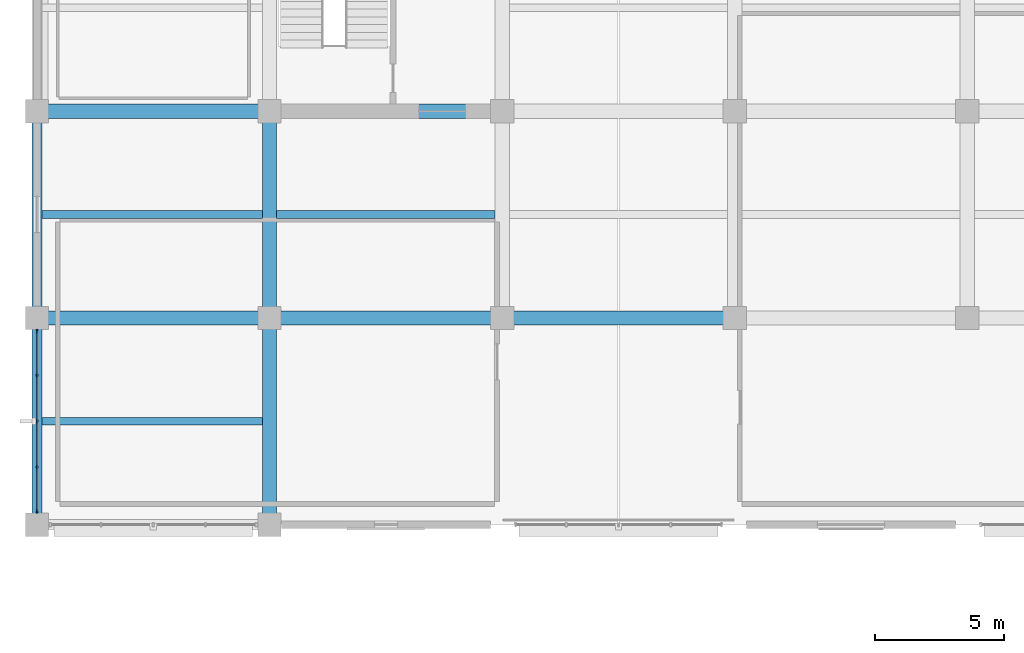
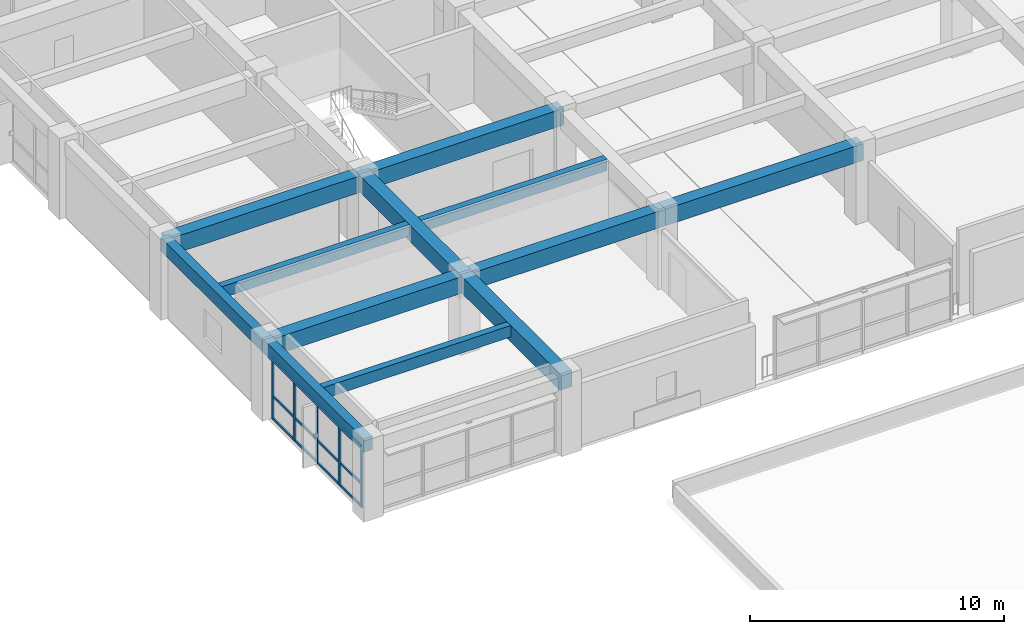
# One storey, part 4 of 23: 12 beams, 8 members, 1 element without a shape of its own.
"""IFC4 building model written with IfcOpenShell, lengths in metres."""

from ifc_helpers import new_model, si_unit, direction, frame, origin, origin_2d, place, context, subcontext, project, spatial, rectangle, extrude, material, material_profile, profile_set, type_object, element, aggregate, save


model = new_model("IFC4")

# Units and contexts
model_context = context("Model", 3, precision=1e-05, world=origin(), true_north=direction((0.0, 1.0)))
body_context = subcontext(model_context, "Body", "Model", "MODEL_VIEW")
ifc_project = project(units=[si_unit("LENGTHUNIT", "METRE"), si_unit("AREAUNIT", "SQUARE_METRE"), si_unit("VOLUMEUNIT", "CUBIC_METRE"), si_unit("PLANEANGLEUNIT", "RADIAN"), si_unit("MASSUNIT", "GRAM", prefix="KILO")], contexts=[model_context])

# Site, building, storey
site_placement = place(None, origin())
site = spatial("IfcSite", under=ifc_project, at=site_placement, CompositionType="ELEMENT")
building_placement = place(site_placement, origin())
building = spatial("IfcBuilding", under=site, at=building_placement, Name="Zaverband Oceanarium and Marine Research Institute", CompositionType="ELEMENT")
storey_placement = place(building_placement, frame((0.0, 0.0, 21.89990234375)))
storey = spatial("IfcBuildingStorey", under=building, at=storey_placement, Name="L05", CompositionType="ELEMENT", Elevation=21.89990234375)

# Beams
ifc_material_1 = material(Name="Concrete C40/50", Category="concrete")
ifc_material_profile_1 = material_profile(ifc_material_1, rectangle(XDim=0.550048828125, YDim=0.800048828125, at=origin_2d()), Name="RC550x800")
ifc_profile_set_1 = profile_set([ifc_material_profile_1], Name="Concrete C40/50")
beam_type_1 = type_object("IfcBeamType", Name="BM-550x800", PredefinedType="BEAM", material=ifc_profile_set_1)
for number, where, z_axis, x_axis, name in (
    (1, (9.0, 72.0, 3.25), (1.0, 0.0, 0.0), (0.0, 1.0, 0.0), "Primary floor girder BM-550x800"),
    (2, (18.0, 72.0, 3.25), (1.0, 0.0, 0.0), (0.0, 1.0, 0.0), "Primary floor girder BM-550x800"),
    (3, (27.0, 72.0, 3.25), (1.0, 0.0, 0.0), (0.0, 1.0, 0.0), "Primary floor girder BM-550x800"),
    (4, (9.0, 80.0, 3.25), (1.0, 0.0, 0.0), (0.0, 1.0, 0.0), "Primary floor girder BM-550x800"),
    (5, (18.0, 80.0, 3.25), (1.0, 0.0, 0.0), (0.0, 1.0, 0.0), "Primary floor girder BM-550x800"),
):
    element("IfcBeam", number, at=place(storey_placement, frame(where, z_axis=z_axis, x_axis=x_axis)), inside=storey, type_object=beam_type_1, Name=name, PredefinedType="BEAM", context=body_context, shape_type="SweptSolid", body=[
        extrude(rectangle(XDim=0.550048828125, YDim=0.800048828125, at=origin_2d()), origin(), (0.0, 0.0, 1.0), 9.0),
    ])
for number, where, z_axis, x_axis, name in (
    (6, (18.0, 64.0, 3.25), (0.0, 1.0, 0.0), (-1.0, 0.0, 0.0), "Primary floor girder BM-550x800"),
    (7, (18.0, 72.0, 3.25), (0.0, 1.0, 0.0), (-1.0, 0.0, 0.0), "Primary floor girder BM-550x800"),
):
    element("IfcBeam", number, at=place(storey_placement, frame(where, z_axis=z_axis, x_axis=x_axis)), inside=storey, type_object=beam_type_1, Name=name, PredefinedType="BEAM", context=body_context, shape_type="SweptSolid", body=[
        extrude(rectangle(XDim=0.550048828125, YDim=0.800048828125, at=origin_2d()), origin(), (0.0, 0.0, 1.0), 8.0),
    ])
ifc_material_profile_2 = material_profile(ifc_material_1, rectangle(XDim=0.300048828125, YDim=0.550048828125, at=origin_2d()), Name="RC300x550")
ifc_profile_set_2 = profile_set([ifc_material_profile_2], Name="Concrete C40/50")
beam_type_2 = type_object("IfcBeamType", Name="JST-300x550", PredefinedType="JOIST", material=ifc_profile_set_2)
for number, where, z_axis, x_axis, name in (
    (8, (9.199951171875, 68.0, 3.375), (1.0, 0.0, 0.0), (0.0, 1.0, 0.0), "Secondary floor joist JST-300x550"),
    (9, (9.199951171875, 76.0, 3.375), (1.0, 0.0, 0.0), (0.0, 1.0, 0.0), "Secondary floor joist JST-300x550"),
):
    element("IfcBeam", number, at=place(storey_placement, frame(where, z_axis=z_axis, x_axis=x_axis)), inside=storey, type_object=beam_type_2, Name=name, PredefinedType="JOIST", context=body_context, shape_type="SweptSolid", body=[
        extrude(rectangle(XDim=0.300048828125, YDim=0.550048828125, at=origin_2d()), origin(), (0.0, 0.0, 1.0), 8.525146484375),
    ])
beam_placement = place(storey_placement, frame((18.27490234375, 76.0, 3.375), z_axis=(1.0, 0.0, 0.0), x_axis=(0.0, 1.0, 0.0)))
element("IfcBeam", 10, at=beam_placement, inside=storey, type_object=beam_type_2, Name="Secondary floor joist JST-300x550", PredefinedType="JOIST", context=body_context, shape_type="SweptSolid", body=[
    extrude(rectangle(XDim=0.300048828125, YDim=0.550048828125, at=origin_2d()), origin(), (0.0, 0.0, 1.0), 8.4501953125),
])

# Curtain wall, members
ifc_material_2 = material(Name="Thermally broken anodized aluminium and solar-control glass", Category="aluminium")
curtain_wall_type = type_object("IfcCurtainWallType", Name="CW-UNIT-1800", PredefinedType="NOTDEFINED", material=ifc_material_2)
curtain_wall_placement = place(storey_placement, origin())
curtain_wall = element("IfcCurtainWall", 11, at=curtain_wall_placement, inside=storey, type_object=curtain_wall_type, Name="Unitised glazed curtain wall CW-073", PredefinedType="NOTDEFINED")
ifc_material_3 = material(Name="Thermally broken anodized aluminium", Category="aluminium")
ifc_material_profile_3 = material_profile(ifc_material_3, rectangle(XDim=0.070068359375, YDim=0.14990234375, at=origin_2d()), Name="AL-MUL-70x150")
ifc_profile_set_3 = profile_set([ifc_material_profile_3], Name="Thermally broken anodized aluminium")
member_type_1 = type_object("IfcMemberType", Name="MUL-70x150", PredefinedType="MULLION", material=ifc_profile_set_3)
member_1_placement = place(storey_placement, frame((9.0, 64.514892578125, 0.0), z_axis=(0.0, 0.0, 1.0), x_axis=(1.0, 0.0, 0.0)))
member_1 = element("IfcMember", 12, at=member_1_placement, type_object=member_type_1, Name="Curtain wall vertical mullion MUL-70x150", PredefinedType="MULLION", context=body_context, shape_type="SweptSolid", body=[
    extrude(rectangle(XDim=0.070068359375, YDim=0.14990234375, at=origin_2d()), origin(), (0.0, 0.0, 1.0), 2.97998046875),
])
member_2_placement = place(storey_placement, frame((9.0, 66.2275390625, 0.0), z_axis=(0.0, 0.0, 1.0), x_axis=(1.0, 0.0, 0.0)))
member_2 = element("IfcMember", 13, at=member_2_placement, type_object=member_type_1, Name="Curtain wall vertical mullion MUL-70x150", PredefinedType="MULLION", context=body_context, shape_type="SweptSolid", body=[
    extrude(rectangle(XDim=0.070068359375, YDim=0.14990234375, at=origin_2d()), origin(), (0.0, 0.0, 1.0), 2.97998046875),
])
member_3_placement = place(storey_placement, frame((9.0, 68.0, 0.0), z_axis=(0.0, 0.0, 1.0), x_axis=(1.0, 0.0, 0.0)))
member_3 = element("IfcMember", 14, at=member_3_placement, type_object=member_type_1, Name="Curtain wall vertical mullion MUL-70x150", PredefinedType="MULLION", context=body_context, shape_type="SweptSolid", body=[
    extrude(rectangle(XDim=0.070068359375, YDim=0.14990234375, at=origin_2d()), origin(), (0.0, 0.0, 1.0), 2.97998046875),
])
member_4_placement = place(storey_placement, frame((9.0, 69.7724609375, 0.0), z_axis=(0.0, 0.0, 1.0), x_axis=(1.0, 0.0, 0.0)))
member_4 = element("IfcMember", 15, at=member_4_placement, type_object=member_type_1, Name="Curtain wall vertical mullion MUL-70x150", PredefinedType="MULLION", context=body_context, shape_type="SweptSolid", body=[
    extrude(rectangle(XDim=0.070068359375, YDim=0.14990234375, at=origin_2d()), origin(), (0.0, 0.0, 1.0), 2.97998046875),
])
member_5_placement = place(storey_placement, frame((9.0, 71.485107421875, 0.0), z_axis=(0.0, 0.0, 1.0), x_axis=(1.0, 0.0, 0.0)))
member_5 = element("IfcMember", 16, at=member_5_placement, type_object=member_type_1, Name="Curtain wall vertical mullion MUL-70x150", PredefinedType="MULLION", context=body_context, shape_type="SweptSolid", body=[
    extrude(rectangle(XDim=0.070068359375, YDim=0.14990234375, at=origin_2d()), origin(), (0.0, 0.0, 1.0), 2.97998046875),
])

# Beams
ifc_material_profile_4 = material_profile(ifc_material_1, rectangle(XDim=0.39990234375, YDim=0.64990234375, at=origin_2d()), Name="RC400x650")
ifc_profile_set_4 = profile_set([ifc_material_profile_4], Name="Concrete C40/50")
beam_type_3 = type_object("IfcBeamType", Name="SPN-400x650", PredefinedType="SPANDREL", material=ifc_profile_set_4)
for number, where, z_axis, x_axis, name in (
    (17, (9.0, 64.0, 3.3251953125), (0.0, 1.0, 0.0), (-1.0, 0.0, 0.0), "Perimeter spandrel beam SPN-400x650"),
    (18, (9.0, 72.0, 3.3251953125), (0.0, 1.0, 0.0), (-1.0, 0.0, 0.0), "Perimeter spandrel beam SPN-400x650"),
):
    element("IfcBeam", number, at=place(storey_placement, frame(where, z_axis=z_axis, x_axis=x_axis)), inside=storey, type_object=beam_type_3, Name=name, PredefinedType="SPANDREL", context=body_context, shape_type="SweptSolid", body=[
        extrude(rectangle(XDim=0.39990234375, YDim=0.64990234375, at=origin_2d()), origin(), (0.0, 0.0, 1.0), 8.0),
    ])

# Member
ifc_material_profile_5 = material_profile(ifc_material_3, rectangle(XDim=0.070068359375, YDim=0.114990234375, at=origin_2d()), Name="AL-TRN-70x115")
ifc_profile_set_5 = profile_set([ifc_material_profile_5], Name="Thermally broken anodized aluminium")
member_type_2 = type_object("IfcMemberType", Name="TRN-70x115", PredefinedType="USERDEFINED", material=ifc_profile_set_5)
member_6_placement = place(storey_placement, frame((9.0, 64.514892578125, 0.050048828125), z_axis=(0.0, 1.0, 0.0), x_axis=(-1.0, 0.0, 0.0)))
member_6 = element("IfcMember", 19, at=member_6_placement, type_object=member_type_2, Name="Curtain wall horizontal transom TRN-70x115", ObjectType="TRANSOM", PredefinedType="USERDEFINED", context=body_context, shape_type="SweptSolid", body=[
    extrude(rectangle(XDim=0.070068359375, YDim=0.114990234375, at=origin_2d()), origin(), (0.0, 0.0, 1.0), 6.97021484375),
])

member_7_placement = place(storey_placement, frame((9.0, 64.514892578125, 1.123046875), z_axis=(0.0, 1.0, 0.0), x_axis=(-1.0, 0.0, 0.0)))
member_7 = element("IfcMember", 20, at=member_7_placement, type_object=member_type_2, Name="Curtain wall horizontal transom TRN-70x115", ObjectType="TRANSOM", PredefinedType="USERDEFINED", context=body_context, shape_type="SweptSolid", body=[
    extrude(rectangle(XDim=0.070068359375, YDim=0.114990234375, at=origin_2d()), origin(), (0.0, 0.0, 1.0), 6.97021484375),
])

member_8_placement = place(storey_placement, frame((9.0, 64.514892578125, 2.93017578125), z_axis=(0.0, 1.0, 0.0), x_axis=(-1.0, 0.0, 0.0)))
member_8 = element("IfcMember", 21, at=member_8_placement, type_object=member_type_2, Name="Curtain wall horizontal transom TRN-70x115", ObjectType="TRANSOM", PredefinedType="USERDEFINED", context=body_context, shape_type="SweptSolid", body=[
    extrude(rectangle(XDim=0.070068359375, YDim=0.114990234375, at=origin_2d()), origin(), (0.0, 0.0, 1.0), 6.97021484375),
])

aggregate(curtain_wall, [member_1, member_2, member_3, member_4, member_5, member_6, member_7, member_8])

save(model, "model.ifc")
